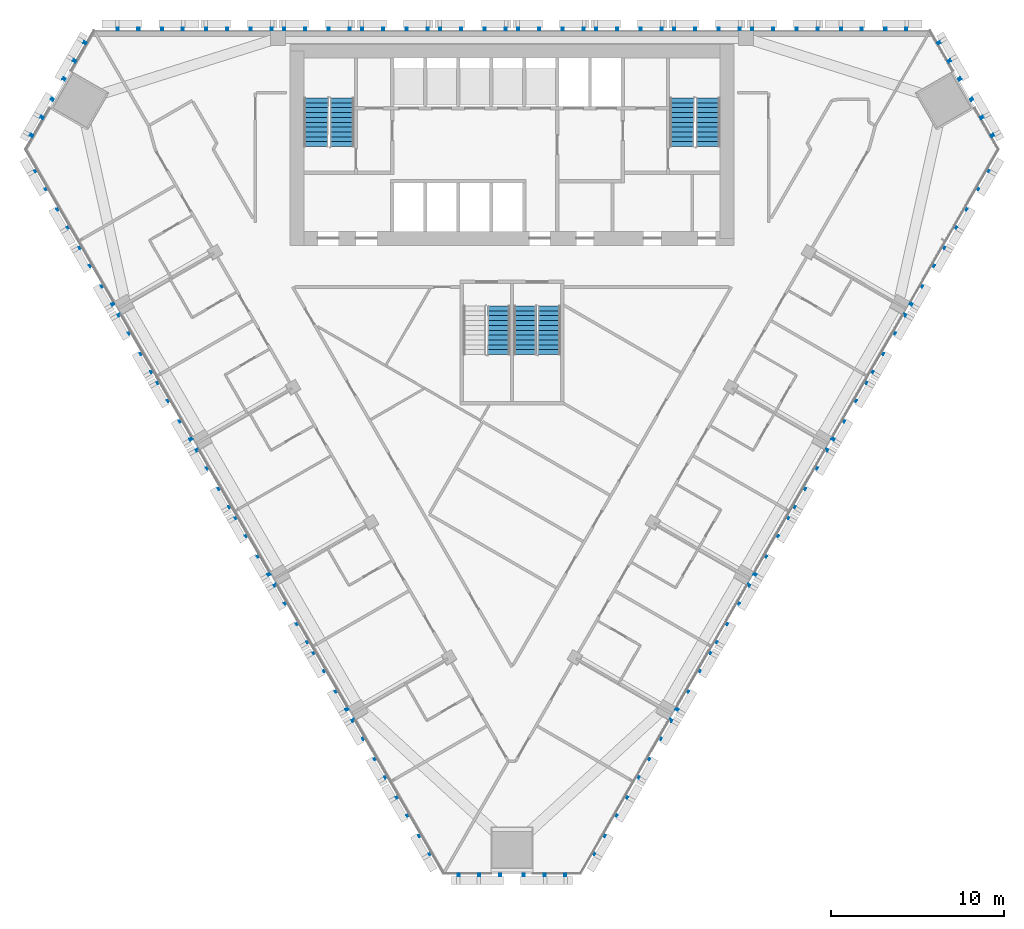
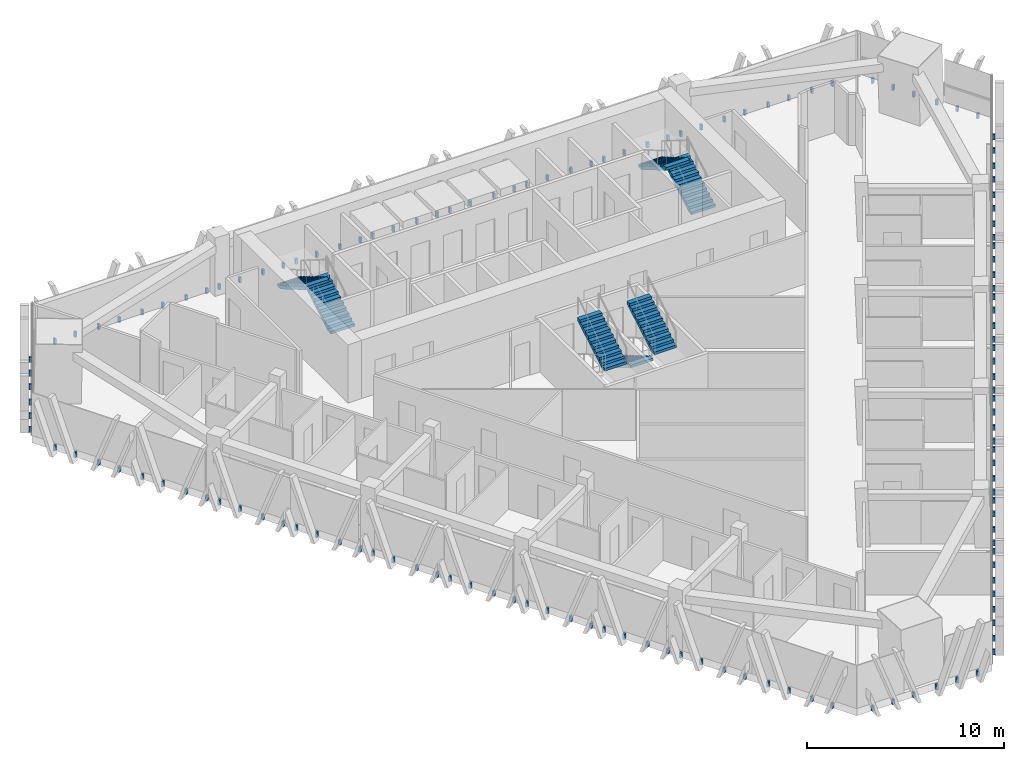
# One storey, part 13 of 16: 7 stair flights, 6 discrete accessories, 4 elements without a shape of their own.
"""IFC4 building model written with IfcOpenShell, lengths in metres."""

from ifc_helpers import new_model, si_unit, direction, frame, origin, place, context, subcontext, project, spatial, polyline, outline, extrude, source, transform, mapped, material, type_object, element, aggregate, save


model = new_model("IFC4")

# Units and contexts
model_context = context("Model", 3, precision=1e-05, world=origin(), true_north=direction((0.0, 1.0)))
body_context = subcontext(model_context, "Body", "Model", "MODEL_VIEW")
ifc_project = project(units=[si_unit("LENGTHUNIT", "METRE"), si_unit("AREAUNIT", "SQUARE_METRE"), si_unit("VOLUMEUNIT", "CUBIC_METRE"), si_unit("PLANEANGLEUNIT", "RADIAN"), si_unit("MASSUNIT", "GRAM", prefix="KILO")], contexts=[model_context])

# Site, building, storey
site_placement = place(None, origin())
site = spatial("IfcSite", under=ifc_project, at=site_placement, CompositionType="ELEMENT")
building_placement = place(site_placement, origin())
building = spatial("IfcBuilding", under=site, at=building_placement, Name="Altiplano Prism Tower", CompositionType="ELEMENT")
storey_placement = place(building_placement, frame((0.0, 0.0, 124.199951171875)))
storey = spatial("IfcBuildingStorey", under=building, at=storey_placement, Name="L31", CompositionType="ELEMENT", Elevation=124.199951171875)

# Stair, stair flights
ifc_material_1 = material(Name="Concrete C40/50", Category="concrete")
stair_type_1 = type_object("IfcStairType", Name="Exit stair 1400", PredefinedType="HALF_TURN_STAIR", material=ifc_material_1)
stair_1_placement = place(storey_placement, origin())
stair_1 = element("IfcStair", 1, at=stair_1_placement, inside=storey, type_object=stair_type_1, Name="L31 Exit Stair 1", PredefinedType="HALF_TURN_STAIR")
stair_flight_type = type_object("IfcStairFlightType", Name="Stair flight concrete 150", PredefinedType="STRAIGHT", material=ifc_material_1)
stair_flight_1_placement = place(storey_placement, frame((75.199951171875, 98.300048828125, 0.0), z_axis=(0.0, 0.0, 1.0), x_axis=(0.0, 1.0, 0.0)))
stair_flight_1 = element("IfcStairFlight", 2, at=stair_flight_1_placement, type_object=stair_flight_type, Name="ST1 flight 1", NumberOfRisers=11, NumberOfTreads=10, PredefinedType="STRAIGHT", RiserHeight=0.163636364, TreadLength=0.28, context=body_context, shape_type="SweptSolid", body=[
    extrude(outline(polyline([(0.0, 0.0), (0.0, 0.16357421875), (0.280029296875, 0.16357421875), (0.280029296875, 0.327392578125), (0.56005859375, 0.327392578125), (0.56005859375, 0.490966796875), (0.840087890625, 0.490966796875), (0.840087890625, 0.654541015625), (1.1201171875, 0.654541015625), (1.1201171875, 0.818115234375), (1.39990234375, 0.818115234375), (1.39990234375, 0.98193359375), (1.679931640625, 0.98193359375), (1.679931640625, 1.1455078125), (1.9599609375, 1.1455078125), (1.9599609375, 1.30908203125), (2.239990234375, 1.30908203125), (2.239990234375, 1.47265625), (2.52001953125, 1.47265625), (2.52001953125, 1.636474609375), (2.800048828125, 1.636474609375), (2.800048828125, 1.800048828125), (2.800048828125, 1.462646484375), (0.297119140625, 0.0), (0.0, 0.0)])), frame((0.0, 0.699951171875, 0.0), z_axis=(0.0, -1.0, 0.0), x_axis=(1.0, 0.0, 0.0)), (0.0, 0.0, 1.0), 1.39990234375),
])
stair_flight_2_placement = place(storey_placement, frame((73.699951171875, 101.10009765625, 1.800048828125), z_axis=(0.0, 0.0, 1.0), x_axis=(0.0, -1.0, 0.0)))
stair_flight_2 = element("IfcStairFlight", 3, at=stair_flight_2_placement, type_object=stair_flight_type, Name="ST1 flight 2", NumberOfRisers=11, NumberOfTreads=10, PredefinedType="STRAIGHT", RiserHeight=0.163636364, TreadLength=0.28, context=body_context, shape_type="SweptSolid", body=[
    extrude(outline(polyline([(0.0, 0.0), (0.0, 0.16357421875), (0.280029296875, 0.16357421875), (0.280029296875, 0.327392578125), (0.56005859375, 0.327392578125), (0.56005859375, 0.490966796875), (0.840087890625, 0.490966796875), (0.840087890625, 0.654541015625), (1.1201171875, 0.654541015625), (1.1201171875, 0.818115234375), (1.39990234375, 0.818115234375), (1.39990234375, 0.98193359375), (1.679931640625, 0.98193359375), (1.679931640625, 1.1455078125), (1.9599609375, 1.1455078125), (1.9599609375, 1.30908203125), (2.239990234375, 1.30908203125), (2.239990234375, 1.47265625), (2.52001953125, 1.47265625), (2.52001953125, 1.636474609375), (2.800048828125, 1.636474609375), (2.800048828125, 1.800048828125), (2.800048828125, 1.462646484375), (0.297119140625, 0.0), (0.0, 0.0)])), frame((0.0, 0.699951171875, 0.0), z_axis=(0.0, -1.0, 0.0), x_axis=(1.0, 0.0, 0.0)), (0.0, 0.0, 1.0), 1.39990234375),
])
aggregate(stair_1, [stair_flight_1, stair_flight_2])

stair_2_placement = place(storey_placement, origin())
stair_2 = element("IfcStair", 4, at=stair_2_placement, inside=storey, type_object=stair_type_1, Name="L31 Exit Stair 2", PredefinedType="HALF_TURN_STAIR")
stair_flight_3_placement = place(storey_placement, frame((96.300048828125, 98.300048828125, 0.0), z_axis=(0.0, 0.0, 1.0), x_axis=(0.0, 1.0, 0.0)))
stair_flight_3 = element("IfcStairFlight", 5, at=stair_flight_3_placement, type_object=stair_flight_type, Name="ST2 flight 1", NumberOfRisers=11, NumberOfTreads=10, PredefinedType="STRAIGHT", RiserHeight=0.163636364, TreadLength=0.28, context=body_context, shape_type="SweptSolid", body=[
    extrude(outline(polyline([(0.0, 0.0), (0.0, 0.16357421875), (0.280029296875, 0.16357421875), (0.280029296875, 0.327392578125), (0.56005859375, 0.327392578125), (0.56005859375, 0.490966796875), (0.840087890625, 0.490966796875), (0.840087890625, 0.654541015625), (1.1201171875, 0.654541015625), (1.1201171875, 0.818115234375), (1.39990234375, 0.818115234375), (1.39990234375, 0.98193359375), (1.679931640625, 0.98193359375), (1.679931640625, 1.1455078125), (1.9599609375, 1.1455078125), (1.9599609375, 1.30908203125), (2.239990234375, 1.30908203125), (2.239990234375, 1.47265625), (2.52001953125, 1.47265625), (2.52001953125, 1.636474609375), (2.800048828125, 1.636474609375), (2.800048828125, 1.800048828125), (2.800048828125, 1.462646484375), (0.297119140625, 0.0), (0.0, 0.0)])), frame((0.0, 0.699951171875, 0.0), z_axis=(0.0, -1.0, 0.0), x_axis=(1.0, 0.0, 0.0)), (0.0, 0.0, 1.0), 1.39990234375),
])
stair_flight_4_placement = place(storey_placement, frame((94.800048828125, 101.10009765625, 1.800048828125), z_axis=(0.0, 0.0, 1.0), x_axis=(0.0, -1.0, 0.0)))
stair_flight_4 = element("IfcStairFlight", 6, at=stair_flight_4_placement, type_object=stair_flight_type, Name="ST2 flight 2", NumberOfRisers=11, NumberOfTreads=10, PredefinedType="STRAIGHT", RiserHeight=0.163636364, TreadLength=0.28, context=body_context, shape_type="SweptSolid", body=[
    extrude(outline(polyline([(0.0, 0.0), (0.0, 0.16357421875), (0.280029296875, 0.16357421875), (0.280029296875, 0.327392578125), (0.56005859375, 0.327392578125), (0.56005859375, 0.490966796875), (0.840087890625, 0.490966796875), (0.840087890625, 0.654541015625), (1.1201171875, 0.654541015625), (1.1201171875, 0.818115234375), (1.39990234375, 0.818115234375), (1.39990234375, 0.98193359375), (1.679931640625, 0.98193359375), (1.679931640625, 1.1455078125), (1.9599609375, 1.1455078125), (1.9599609375, 1.30908203125), (2.239990234375, 1.30908203125), (2.239990234375, 1.47265625), (2.52001953125, 1.47265625), (2.52001953125, 1.636474609375), (2.800048828125, 1.636474609375), (2.800048828125, 1.800048828125), (2.800048828125, 1.462646484375), (0.297119140625, 0.0), (0.0, 0.0)])), frame((0.0, 0.699951171875, 0.0), z_axis=(0.0, -1.0, 0.0), x_axis=(1.0, 0.0, 0.0)), (0.0, 0.0, 1.0), 1.39990234375),
])
aggregate(stair_2, [stair_flight_3, stair_flight_4])

# Stair, stair flight
stair_type_2 = type_object("IfcStairType", Name="Exit stair 1300", PredefinedType="HALF_TURN_STAIR", material=ifc_material_1)
stair_3_placement = place(storey_placement, origin())
stair_3 = element("IfcStair", 7, at=stair_3_placement, inside=storey, type_object=stair_type_2, Name="L31 Exit Stair 3A", PredefinedType="HALF_TURN_STAIR")
stair_flight_5_placement = place(storey_placement, frame((84.25, 86.300048828125, 1.800048828125), z_axis=(0.0, 0.0, 1.0), x_axis=(0.0, 1.0, 0.0)))
stair_flight_5 = element("IfcStairFlight", 8, at=stair_flight_5_placement, type_object=stair_flight_type, Name="ST3A flight 2", NumberOfRisers=11, NumberOfTreads=10, PredefinedType="STRAIGHT", RiserHeight=0.163636364, TreadLength=0.28, context=body_context, shape_type="SweptSolid", body=[
    extrude(outline(polyline([(0.0, 0.0), (0.0, 0.16357421875), (0.280029296875, 0.16357421875), (0.280029296875, 0.327392578125), (0.56005859375, 0.327392578125), (0.56005859375, 0.490966796875), (0.840087890625, 0.490966796875), (0.840087890625, 0.654541015625), (1.1201171875, 0.654541015625), (1.1201171875, 0.818115234375), (1.39990234375, 0.818115234375), (1.39990234375, 0.98193359375), (1.679931640625, 0.98193359375), (1.679931640625, 1.1455078125), (1.9599609375, 1.1455078125), (1.9599609375, 1.30908203125), (2.239990234375, 1.30908203125), (2.239990234375, 1.47265625), (2.52001953125, 1.47265625), (2.52001953125, 1.636474609375), (2.800048828125, 1.636474609375), (2.800048828125, 1.800048828125), (2.800048828125, 1.462646484375), (0.297119140625, 0.0), (0.0, 0.0)])), frame((0.0, 0.64990234375, 0.0), z_axis=(0.0, -1.0, 0.0), x_axis=(1.0, 0.0, 0.0)), (0.0, 0.0, 1.0), 1.300048828125),
])
aggregate(stair_3, [stair_flight_5])

# Stair, stair flights
stair_4_placement = place(storey_placement, origin())
stair_4 = element("IfcStair", 9, at=stair_4_placement, inside=storey, type_object=stair_type_2, Name="L31 Exit Stair 3B", PredefinedType="HALF_TURN_STAIR")
stair_flight_6_placement = place(storey_placement, frame((85.75, 89.10009765625, 0.0), z_axis=(0.0, 0.0, 1.0), x_axis=(0.0, -1.0, 0.0)))
stair_flight_6 = element("IfcStairFlight", 10, at=stair_flight_6_placement, type_object=stair_flight_type, Name="ST3B flight 1", NumberOfRisers=11, NumberOfTreads=10, PredefinedType="STRAIGHT", RiserHeight=0.163636364, TreadLength=0.28, context=body_context, shape_type="SweptSolid", body=[
    extrude(outline(polyline([(0.0, 0.0), (0.0, 0.16357421875), (0.280029296875, 0.16357421875), (0.280029296875, 0.327392578125), (0.56005859375, 0.327392578125), (0.56005859375, 0.490966796875), (0.840087890625, 0.490966796875), (0.840087890625, 0.654541015625), (1.1201171875, 0.654541015625), (1.1201171875, 0.818115234375), (1.39990234375, 0.818115234375), (1.39990234375, 0.98193359375), (1.679931640625, 0.98193359375), (1.679931640625, 1.1455078125), (1.9599609375, 1.1455078125), (1.9599609375, 1.30908203125), (2.239990234375, 1.30908203125), (2.239990234375, 1.47265625), (2.52001953125, 1.47265625), (2.52001953125, 1.636474609375), (2.800048828125, 1.636474609375), (2.800048828125, 1.800048828125), (2.800048828125, 1.462646484375), (0.297119140625, 0.0), (0.0, 0.0)])), frame((0.0, 0.64990234375, 0.0), z_axis=(0.0, -1.0, 0.0), x_axis=(1.0, 0.0, 0.0)), (0.0, 0.0, 1.0), 1.300048828125),
])
stair_flight_7_placement = place(storey_placement, frame((87.14990234375, 86.300048828125, 1.800048828125), z_axis=(0.0, 0.0, 1.0), x_axis=(0.0, 1.0, 0.0)))
stair_flight_7 = element("IfcStairFlight", 11, at=stair_flight_7_placement, type_object=stair_flight_type, Name="ST3B flight 2", NumberOfRisers=11, NumberOfTreads=10, PredefinedType="STRAIGHT", RiserHeight=0.163636364, TreadLength=0.28, context=body_context, shape_type="SweptSolid", body=[
    extrude(outline(polyline([(0.0, 0.0), (0.0, 0.16357421875), (0.280029296875, 0.16357421875), (0.280029296875, 0.327392578125), (0.56005859375, 0.327392578125), (0.56005859375, 0.490966796875), (0.840087890625, 0.490966796875), (0.840087890625, 0.654541015625), (1.1201171875, 0.654541015625), (1.1201171875, 0.818115234375), (1.39990234375, 0.818115234375), (1.39990234375, 0.98193359375), (1.679931640625, 0.98193359375), (1.679931640625, 1.1455078125), (1.9599609375, 1.1455078125), (1.9599609375, 1.30908203125), (2.239990234375, 1.30908203125), (2.239990234375, 1.47265625), (2.52001953125, 1.47265625), (2.52001953125, 1.636474609375), (2.800048828125, 1.636474609375), (2.800048828125, 1.800048828125), (2.800048828125, 1.462646484375), (0.297119140625, 0.0), (0.0, 0.0)])), frame((0.0, 0.64990234375, 0.0), z_axis=(0.0, -1.0, 0.0), x_axis=(1.0, 0.0, 0.0)), (0.0, 0.0, 1.0), 1.300048828125),
])
aggregate(stair_4, [stair_flight_6, stair_flight_7])

# Discrete accessories
ifc_material_2 = material(Name="Stainless steel", Category="steel")
discrete_accessory_type = type_object("IfcDiscreteAccessoryType", Name="Stone fin fixing prongs", PredefinedType="USERDEFINED", material=ifc_material_2)
shared_shape_1 = source(origin(), body_context, "Body", "SweptSolid", [
    extrude(outline(polyline([(-1.94189453125, 0.06005859375), (-1.822021484375, 0.06005859375), (-1.822021484375, 0.389892578125), (-1.94189453125, 0.389892578125), (-1.94189453125, 0.06005859375)])), frame((0.0, 0.0, 0.0), z_axis=(0.0, -1.0, 0.0), x_axis=(1.0, 0.0, 0.0)), (0.0, 0.0, 1.0), 0.14990234375),
    extrude(outline(polyline([(-0.741943359375, 0.06005859375), (-0.621826171875, 0.06005859375), (-0.621826171875, 0.389892578125), (-0.741943359375, 0.389892578125), (-0.741943359375, 0.06005859375)])), frame((0.0, 0.0, 0.0), z_axis=(0.0, -1.0, 0.0), x_axis=(1.0, 0.0, 0.0)), (0.0, 0.0, 1.0), 0.14990234375),
    extrude(outline(polyline([(0.621826171875, 0.06005859375), (0.741943359375, 0.06005859375), (0.741943359375, 0.389892578125), (0.621826171875, 0.389892578125), (0.621826171875, 0.06005859375)])), frame((0.0, 0.0, 0.0), z_axis=(0.0, -1.0, 0.0), x_axis=(1.0, 0.0, 0.0)), (0.0, 0.0, 1.0), 0.14990234375),
    extrude(outline(polyline([(1.822021484375, 0.06005859375), (1.94189453125, 0.06005859375), (1.94189453125, 0.389892578125), (1.822021484375, 0.389892578125), (1.822021484375, 0.06005859375)])), frame((0.0, 0.0, 0.0), z_axis=(0.0, -1.0, 0.0), x_axis=(1.0, 0.0, 0.0)), (0.0, 0.0, 1.0), 0.14990234375),
])
shared_shape_2 = source(origin(), body_context, "Body", "SweptSolid", [
    extrude(outline(polyline([(-1.94189453125, 0.06005859375), (-1.822021484375, 0.06005859375), (-1.822021484375, 0.389892578125), (-1.94189453125, 0.389892578125), (-1.94189453125, 0.06005859375)])), frame((0.0, 0.0, 0.0), z_axis=(0.0, -1.0, 0.0), x_axis=(1.0, 0.0, 0.0)), (0.0, 0.0, 1.0), 0.14990234375),
    extrude(outline(polyline([(-0.741943359375, 0.06005859375), (-0.621826171875, 0.06005859375), (-0.621826171875, 0.389892578125), (-0.741943359375, 0.389892578125), (-0.741943359375, 0.06005859375)])), frame((0.0, 0.0, 0.0), z_axis=(0.0, -1.0, 0.0), x_axis=(1.0, 0.0, 0.0)), (0.0, 0.0, 1.0), 0.14990234375),
    extrude(outline(polyline([(0.621826171875, 0.06005859375), (0.741943359375, 0.06005859375), (0.741943359375, 0.389892578125), (0.621826171875, 0.389892578125), (0.621826171875, 0.06005859375)])), frame((0.0, 0.0, 0.0), z_axis=(0.0, -1.0, 0.0), x_axis=(1.0, 0.0, 0.0)), (0.0, 0.0, 1.0), 0.14990234375),
    extrude(outline(polyline([(1.822021484375, 0.06005859375), (1.94189453125, 0.06005859375), (1.94189453125, 0.389892578125), (1.822021484375, 0.389892578125), (1.822021484375, 0.06005859375)])), frame((0.0, 0.0, 0.0), z_axis=(0.0, -1.0, 0.0), x_axis=(1.0, 0.0, 0.0)), (0.0, 0.0, 1.0), 0.14990234375),
])
discrete_accessory_1_placement = place(storey_placement, origin())
element("IfcDiscreteAccessory", 12, at=discrete_accessory_1_placement, inside=storey, type_object=discrete_accessory_type, Name="Fin fixings L31 north face", ObjectType="BRACKET", PredefinedType="USERDEFINED", context=body_context, shape_type="MappedRepresentation", body=[
    mapped(shared_shape_1, transform((105.865966796875, 105.0, -0.449951171875), x_axis=(-1.0, 0.0, 0.0), y_axis=(0.0, -1.0, 0.0), z_axis=(0.0, 0.0, 1.0))),
    mapped(shared_shape_2, transform((100.75, 105.0, -0.449951171875), x_axis=(-1.0, 0.0, 0.0), y_axis=(0.0, -1.0, 0.0), z_axis=(0.0, 0.0, 1.0))),
    mapped(shared_shape_2, transform((96.25, 105.0, -0.449951171875), x_axis=(-1.0, 0.0, 0.0), y_axis=(0.0, -1.0, 0.0), z_axis=(0.0, 0.0, 1.0))),
    mapped(shared_shape_2, transform((91.75, 105.0, -0.449951171875), x_axis=(-1.0, 0.0, 0.0), y_axis=(0.0, -1.0, 0.0), z_axis=(0.0, 0.0, 1.0))),
    mapped(shared_shape_2, transform((87.25, 105.0, -0.449951171875), x_axis=(-1.0, 0.0, 0.0), y_axis=(0.0, -1.0, 0.0), z_axis=(0.0, 0.0, 1.0))),
    mapped(shared_shape_2, transform((82.75, 105.0, -0.449951171875), x_axis=(-1.0, 0.0, 0.0), y_axis=(0.0, -1.0, 0.0), z_axis=(0.0, 0.0, 1.0))),
    mapped(shared_shape_2, transform((78.25, 105.0, -0.449951171875), x_axis=(-1.0, 0.0, 0.0), y_axis=(0.0, -1.0, 0.0), z_axis=(0.0, 0.0, 1.0))),
    mapped(shared_shape_2, transform((73.75, 105.0, -0.449951171875), x_axis=(-1.0, 0.0, 0.0), y_axis=(0.0, -1.0, 0.0), z_axis=(0.0, 0.0, 1.0))),
    mapped(shared_shape_2, transform((69.25, 105.0, -0.449951171875), x_axis=(-1.0, 0.0, 0.0), y_axis=(0.0, -1.0, 0.0), z_axis=(0.0, 0.0, 1.0))),
    mapped(shared_shape_1, transform((64.134033203125, 105.0, -0.449951171875), x_axis=(-1.0, 0.0, 0.0), y_axis=(0.0, -1.0, 0.0), z_axis=(0.0, 0.0, 1.0))),
])
discrete_accessory_2_placement = place(storey_placement, origin())
element("IfcDiscreteAccessory", 13, at=discrete_accessory_2_placement, inside=storey, type_object=discrete_accessory_type, Name="Fin fixings L31 south-west face", ObjectType="BRACKET", PredefinedType="USERDEFINED", context=body_context, shape_type="MappedRepresentation", body=[
    mapped(shared_shape_1, transform((58.540283203125, 95.31103515625, -0.449951171875), x_axis=(0.499999989809, -0.866025409668, 0.0), y_axis=(0.866025409668, 0.499999989809, 0.0), z_axis=(0.0, 0.0, 1.0))),
    mapped(shared_shape_2, transform((61.09814453125, 90.880615234375, -0.449951171875), x_axis=(0.499999989809, -0.866025409668, 0.0), y_axis=(0.866025409668, 0.499999989809, 0.0), z_axis=(0.0, 0.0, 1.0))),
    mapped(shared_shape_2, transform((63.34814453125, 86.983642578125, -0.449951171875), x_axis=(0.499999989809, -0.866025409668, 0.0), y_axis=(0.866025409668, 0.499999989809, 0.0), z_axis=(0.0, 0.0, 1.0))),
    mapped(shared_shape_2, transform((65.59814453125, 83.08642578125, -0.449951171875), x_axis=(0.499999989809, -0.866025409668, 0.0), y_axis=(0.866025409668, 0.499999989809, 0.0), z_axis=(0.0, 0.0, 1.0))),
    mapped(shared_shape_2, transform((67.84814453125, 79.189208984375, -0.449951171875), x_axis=(0.499999989809, -0.866025409668, 0.0), y_axis=(0.866025409668, 0.499999989809, 0.0), z_axis=(0.0, 0.0, 1.0))),
    mapped(shared_shape_2, transform((70.09814453125, 75.292236328125, -0.449951171875), x_axis=(0.499999989809, -0.866025409668, 0.0), y_axis=(0.866025409668, 0.499999989809, 0.0), z_axis=(0.0, 0.0, 1.0))),
    mapped(shared_shape_2, transform((72.34814453125, 71.39501953125, -0.449951171875), x_axis=(0.499999989809, -0.866025409668, 0.0), y_axis=(0.866025409668, 0.499999989809, 0.0), z_axis=(0.0, 0.0, 1.0))),
    mapped(shared_shape_2, transform((74.59814453125, 67.498046875, -0.449951171875), x_axis=(0.499999989809, -0.866025409668, 0.0), y_axis=(0.866025409668, 0.499999989809, 0.0), z_axis=(0.0, 0.0, 1.0))),
    mapped(shared_shape_2, transform((76.84814453125, 63.600830078125, -0.449951171875), x_axis=(0.499999989809, -0.866025409668, 0.0), y_axis=(0.866025409668, 0.499999989809, 0.0), z_axis=(0.0, 0.0, 1.0))),
    mapped(shared_shape_1, transform((79.40625, 59.17041015625, -0.449951171875), x_axis=(0.499999989809, -0.866025409668, 0.0), y_axis=(0.866025409668, 0.499999989809, 0.0), z_axis=(0.0, 0.0, 1.0))),
])
discrete_accessory_3_placement = place(storey_placement, origin())
element("IfcDiscreteAccessory", 14, at=discrete_accessory_3_placement, inside=storey, type_object=discrete_accessory_type, Name="Fin fixings L31 south-east face", ObjectType="BRACKET", PredefinedType="USERDEFINED", context=body_context, shape_type="MappedRepresentation", body=[
    mapped(shared_shape_1, transform((90.59375, 59.17041015625, -0.449951171875), x_axis=(0.499999989809, 0.866025409668, 0.0), y_axis=(-0.866025409668, 0.499999989809, 0.0), z_axis=(0.0, 0.0, 1.0))),
    mapped(shared_shape_2, transform((93.15185546875, 63.600830078125, -0.449951171875), x_axis=(0.499999989809, 0.866025409668, 0.0), y_axis=(-0.866025409668, 0.499999989809, 0.0), z_axis=(0.0, 0.0, 1.0))),
    mapped(shared_shape_2, transform((95.40185546875, 67.498046875, -0.449951171875), x_axis=(0.499999989809, 0.866025409668, 0.0), y_axis=(-0.866025409668, 0.499999989809, 0.0), z_axis=(0.0, 0.0, 1.0))),
    mapped(shared_shape_2, transform((97.65185546875, 71.39501953125, -0.449951171875), x_axis=(0.499999989809, 0.866025409668, 0.0), y_axis=(-0.866025409668, 0.499999989809, 0.0), z_axis=(0.0, 0.0, 1.0))),
    mapped(shared_shape_2, transform((99.90185546875, 75.292236328125, -0.449951171875), x_axis=(0.499999989809, 0.866025409668, 0.0), y_axis=(-0.866025409668, 0.499999989809, 0.0), z_axis=(0.0, 0.0, 1.0))),
    mapped(shared_shape_2, transform((102.15185546875, 79.189208984375, -0.449951171875), x_axis=(0.499999989809, 0.866025409668, 0.0), y_axis=(-0.866025409668, 0.499999989809, 0.0), z_axis=(0.0, 0.0, 1.0))),
    mapped(shared_shape_2, transform((104.40185546875, 83.08642578125, -0.449951171875), x_axis=(0.499999989809, 0.866025409668, 0.0), y_axis=(-0.866025409668, 0.499999989809, 0.0), z_axis=(0.0, 0.0, 1.0))),
    mapped(shared_shape_2, transform((106.65185546875, 86.983642578125, -0.449951171875), x_axis=(0.499999989809, 0.866025409668, 0.0), y_axis=(-0.866025409668, 0.499999989809, 0.0), z_axis=(0.0, 0.0, 1.0))),
    mapped(shared_shape_2, transform((108.90185546875, 90.880615234375, -0.449951171875), x_axis=(0.499999989809, 0.866025409668, 0.0), y_axis=(-0.866025409668, 0.499999989809, 0.0), z_axis=(0.0, 0.0, 1.0))),
    mapped(shared_shape_1, transform((111.459716796875, 95.31103515625, -0.449951171875), x_axis=(0.499999989809, 0.866025409668, 0.0), y_axis=(-0.866025409668, 0.499999989809, 0.0), z_axis=(0.0, 0.0, 1.0))),
])
shared_shape_3 = source(origin(), body_context, "Body", "SweptSolid", [
    extrude(outline(polyline([(-3.141845703125, 0.06005859375), (-3.02197265625, 0.06005859375), (-3.02197265625, 0.389892578125), (-3.141845703125, 0.389892578125), (-3.141845703125, 0.06005859375)])), frame((0.0, 0.0, 0.0), z_axis=(0.0, -1.0, 0.0), x_axis=(1.0, 0.0, 0.0)), (0.0, 0.0, 1.0), 0.14990234375),
    extrude(outline(polyline([(-1.94189453125, 0.06005859375), (-1.822021484375, 0.06005859375), (-1.822021484375, 0.389892578125), (-1.94189453125, 0.389892578125), (-1.94189453125, 0.06005859375)])), frame((0.0, 0.0, 0.0), z_axis=(0.0, -1.0, 0.0), x_axis=(1.0, 0.0, 0.0)), (0.0, 0.0, 1.0), 0.14990234375),
    extrude(outline(polyline([(-0.741943359375, 0.06005859375), (-0.621826171875, 0.06005859375), (-0.621826171875, 0.389892578125), (-0.741943359375, 0.389892578125), (-0.741943359375, 0.06005859375)])), frame((0.0, 0.0, 0.0), z_axis=(0.0, -1.0, 0.0), x_axis=(1.0, 0.0, 0.0)), (0.0, 0.0, 1.0), 0.14990234375),
    extrude(outline(polyline([(0.621826171875, 0.06005859375), (0.741943359375, 0.06005859375), (0.741943359375, 0.389892578125), (0.621826171875, 0.389892578125), (0.621826171875, 0.06005859375)])), frame((0.0, 0.0, 0.0), z_axis=(0.0, -1.0, 0.0), x_axis=(1.0, 0.0, 0.0)), (0.0, 0.0, 1.0), 0.14990234375),
    extrude(outline(polyline([(1.822021484375, 0.06005859375), (1.94189453125, 0.06005859375), (1.94189453125, 0.389892578125), (1.822021484375, 0.389892578125), (1.822021484375, 0.06005859375)])), frame((0.0, 0.0, 0.0), z_axis=(0.0, -1.0, 0.0), x_axis=(1.0, 0.0, 0.0)), (0.0, 0.0, 1.0), 0.14990234375),
    extrude(outline(polyline([(3.02197265625, 0.06005859375), (3.141845703125, 0.06005859375), (3.141845703125, 0.389892578125), (3.02197265625, 0.389892578125), (3.02197265625, 0.06005859375)])), frame((0.0, 0.0, 0.0), z_axis=(0.0, -1.0, 0.0), x_axis=(1.0, 0.0, 0.0)), (0.0, 0.0, 1.0), 0.14990234375),
])
discrete_accessory_4_placement = place(storey_placement, origin())
element("IfcDiscreteAccessory", 15, at=discrete_accessory_4_placement, inside=storey, type_object=discrete_accessory_type, Name="Fin fixings L31 north-west chamfer", ObjectType="BRACKET", PredefinedType="USERDEFINED", context=body_context, shape_type="MappedRepresentation", body=[
    mapped(shared_shape_3, transform((58.8876953125, 101.56982421875, -0.449951171875), x_axis=(-0.499999997974, -0.866025404954, 0.0), y_axis=(0.866025404954, -0.499999997974, 0.0), z_axis=(0.0, 0.0, 1.0))),
])
discrete_accessory_5_placement = place(storey_placement, origin())
element("IfcDiscreteAccessory", 16, at=discrete_accessory_5_placement, inside=storey, type_object=discrete_accessory_type, Name="Fin fixings L31 south chamfer", ObjectType="BRACKET", PredefinedType="USERDEFINED", context=body_context, shape_type="MappedRepresentation", body=[
    mapped(shared_shape_3, transform((85.0, 56.342041015625, -0.449951171875), x_axis=(1.0, 0.0, 0.0), y_axis=(0.0, 1.0, 0.0), z_axis=(0.0, 0.0, 1.0))),
])
discrete_accessory_6_placement = place(storey_placement, origin())
element("IfcDiscreteAccessory", 17, at=discrete_accessory_6_placement, inside=storey, type_object=discrete_accessory_type, Name="Fin fixings L31 north-east chamfer", ObjectType="BRACKET", PredefinedType="USERDEFINED", context=body_context, shape_type="MappedRepresentation", body=[
    mapped(shared_shape_3, transform((111.1123046875, 101.56982421875, -0.449951171875), x_axis=(-0.499999997974, 0.866025404954, 0.0), y_axis=(-0.866025404954, -0.499999997974, 0.0), z_axis=(0.0, 0.0, 1.0))),
])

save(model, "model.ifc")
